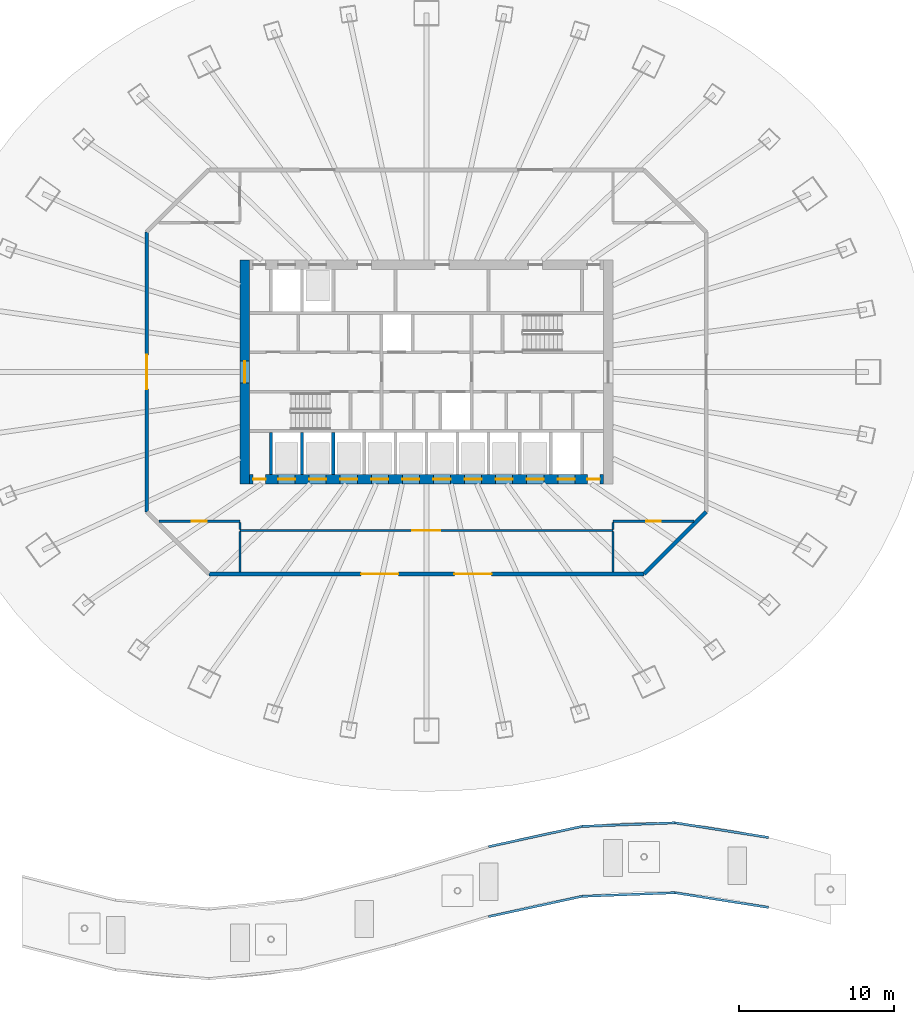
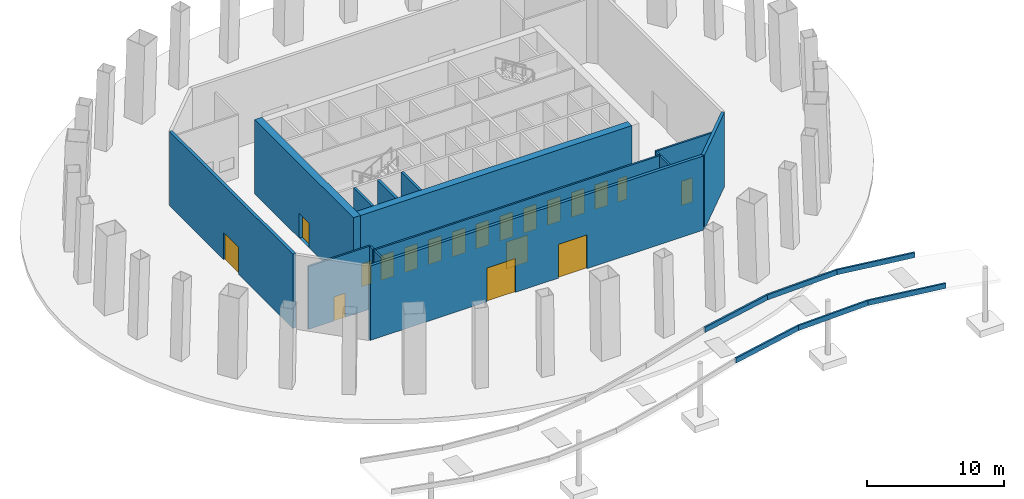
# One storey, part 6 of 10: 21 walls, 19 doors, 19 openings.
"""IFC4 building model written with IfcOpenShell, lengths in metres."""

import ifcopenshell
import ifcopenshell.guid

model = None  # the IFC model being written
_history = None  # IfcOwnerHistory: only IFC2X3 demands one
_inside = {}  # id of a spatial element -> (the spatial element, [elements in it])
_under = {}  # id of a project, library or spatial element -> (it, [spatial elements below it])
_declared = {}  # id of a project -> (the project, [libraries it declares])
_typed = {}  # id of a type object -> (the type object, [elements of that type])
_made_of = {}  # id of a material, layer set ... -> (it, [elements and type objects made of it])


def new_model(schema):
    """Start an empty IFC model of exactly this schema.

    Asked for "IFC4X3", IfcOpenShell would pick the latest addendum, in which some entities
    have other attributes; the version numbers below select the first issue.
    IFC2X3 requires an IfcOwnerHistory on every rooted entity: one is made here for all.
    """
    global model, _history
    if schema == "IFC4X3":
        model = ifcopenshell.file(schema_version=(4, 3, 0, 0))
    else:
        model = ifcopenshell.file(schema=schema)
    _inside.clear()
    _under.clear()
    _declared.clear()
    _typed.clear()
    _made_of.clear()
    _history = None
    if model.schema == "IFC2X3":
        org = make("IfcOrganization", Name="unknown")
        user = make(
            "IfcPersonAndOrganization",
            ThePerson=make("IfcPerson", FamilyName="unknown"),
            TheOrganization=org,
        )
        app = make(
            "IfcApplication",
            ApplicationDeveloper=org,
            Version="unknown",
            ApplicationFullName="unknown",
            ApplicationIdentifier="unknown",
        )
        _history = make(
            "IfcOwnerHistory",
            OwningUser=user,
            OwningApplication=app,
            ChangeAction="ADDED",
            CreationDate=0,
        )
    return model


def make(cls, **values):
    """One entity of the class cls with the attributes given. An attribute that is None is left unset."""
    return model.create_entity(
        cls, **{name: value for name, value in values.items() if value is not None}
    )


def rooted(cls, **values):
    """An entity with a GlobalId (a new one), such as an element, a storey or a relation."""
    return make(cls, GlobalId=ifcopenshell.guid.new(), OwnerHistory=_history, **values)


def si_unit(unit_type, name, prefix=None):
    """IfcSIUnit, for example si_unit("LENGTHUNIT", "METRE", prefix="MILLI")."""
    return make("IfcSIUnit", UnitType=unit_type, Prefix=prefix, Name=name)


def assignment(units):
    """IfcUnitAssignment: the units of a project."""
    return None if units is None else make("IfcUnitAssignment", Units=units)


def point(xyz):
    """IfcCartesianPoint."""
    return None if xyz is None else make("IfcCartesianPoint", Coordinates=xyz)


def direction(xyz):
    """IfcDirection."""
    return None if xyz is None else make("IfcDirection", DirectionRatios=xyz)


def frame(location, z_axis=None, x_axis=None):
    """IfcAxis2Placement3D, a coordinate frame: its origin and axes. An axis left out is left unset."""
    return make(
        "IfcAxis2Placement3D",
        Location=point(location),
        Axis=direction(z_axis),
        RefDirection=direction(x_axis),
    )


def frame_2d(location, x_axis=None):
    """IfcAxis2Placement2D, a coordinate frame in the plane: its origin and x axis."""
    return make(
        "IfcAxis2Placement2D", Location=point(location), RefDirection=direction(x_axis)
    )


def origin():
    """The frame at (0, 0, 0) with its axes left unset."""
    return frame((0.0, 0.0, 0.0))


def place(relative_to, where):
    """IfcLocalPlacement: puts the frame where relative to a parent placement (None: the world)."""
    return make(
        "IfcLocalPlacement", PlacementRelTo=relative_to, RelativePlacement=where
    )


def context(
    kind, dimensions, precision=None, world=None, true_north=None, identifier=None
):
    """IfcGeometricRepresentationContext, for example the 3D "Model" context."""
    return make(
        "IfcGeometricRepresentationContext",
        ContextIdentifier=identifier,
        ContextType=kind,
        CoordinateSpaceDimension=dimensions,
        Precision=precision,
        WorldCoordinateSystem=world,
        TrueNorth=true_north,
    )


def subcontext(parent, identifier, kind, view, scale=None):
    """IfcGeometricRepresentationSubContext, for example "Body" below "Model"."""
    return make(
        "IfcGeometricRepresentationSubContext",
        ContextIdentifier=identifier,
        ContextType=kind,
        ParentContext=parent,
        TargetScale=scale,
        TargetView=view,
    )


def project(units=None, contexts=None):
    """IfcProject with its units and contexts."""
    return rooted(
        "IfcProject",
        Name="project",
        RepresentationContexts=contexts,
        UnitsInContext=assignment(units),
    )


def spatial(cls, under=None, at=None, **own):
    """A site, building, storey or space (cls), placed at a placement, below another one or the project."""
    s = rooted(cls, ObjectPlacement=at, **own)
    if under is not None:
        _under.setdefault(under.id(), (under, []))[1].append(s)
    return s


def profile(cls, at=None, kind="AREA", **sizes):
    """A parametric profile (cls). Its sizes go by their IFC names, for example OverallWidth=200.0."""
    return make(cls, ProfileType=kind, Position=at, **sizes)


def rectangle(**sizes):
    """IfcRectangleProfileDef."""
    return profile("IfcRectangleProfileDef", **sizes)


def extrude(swept, where, along, depth):
    """IfcExtrudedAreaSolid: the profile swept, set in the frame where, extruded along a direction by depth."""
    return make(
        "IfcExtrudedAreaSolid",
        SweptArea=swept,
        Position=where,
        ExtrudedDirection=direction(along),
        Depth=depth,
    )


def shape(context_of_items, identifier, shape_type, items):
    """IfcShapeRepresentation: the items that make up one representation, for example the "Body"."""
    return make(
        "IfcShapeRepresentation",
        ContextOfItems=context_of_items,
        RepresentationIdentifier=identifier,
        RepresentationType=shape_type,
        Items=items,
    )


def material(Name=None, Category=None):
    """IfcMaterial."""
    return make("IfcMaterial", Name=Name, Category=Category)


def layer(
    of_material, thickness, ventilated=None, Name=None, Category=None, Priority=None
):
    """IfcMaterialLayer: one layer of a wall or slab, of a material (None: an air gap)."""
    return make(
        "IfcMaterialLayer",
        Material=of_material,
        LayerThickness=thickness,
        IsVentilated=ventilated,
        Name=Name,
        Category=Category,
        Priority=Priority,
    )


def layer_set(layers, Name=None):
    """IfcMaterialLayerSet."""
    return make("IfcMaterialLayerSet", MaterialLayers=layers, LayerSetName=Name)


def made_of(thing, what):
    """Note that an element or type object is made of a material, layer set ...; save() writes the relation."""
    if what is not None:
        _made_of.setdefault(what.id(), (what, []))[1].append(thing)
    return thing


def type_object(cls, material=None, **own):
    """A type object (cls), such as IfcWallType, which elements share."""
    return made_of(rooted(cls, **own), material)


def element(
    cls,
    number,
    at=None,
    inside=None,
    cuts=None,
    type_object=None,
    material=None,
    context=None,
    identifier="Body",
    shape_type=None,
    held_by="IfcProductDefinitionShape",
    body=None,
    shapes=None,
    **own,
):
    """One element of the class cls, such as IfcWall. Its Tag is "e" and its number.

    at: its placement. inside: the storey or other place that contains it. cuts: it is an
    opening in that element (IfcRelVoidsElement). A single representation is given by context,
    identifier, shape_type and body (its items); several are given by shapes. held_by: the class
    of the entity that holds the representations. save() writes the other relations.
    """
    e = rooted(cls, Tag="e%d" % number, ObjectPlacement=at, **own)
    if body is not None:
        shapes = [shape(context, identifier, shape_type, body)]
    if shapes is not None:
        e.Representation = make(held_by, Representations=shapes)
    if inside is not None:
        _inside.setdefault(inside.id(), (inside, []))[1].append(e)
    if cuts is not None:
        rooted(
            "IfcRelVoidsElement", RelatingBuildingElement=cuts, RelatedOpeningElement=e
        )
    if type_object is not None:
        _typed.setdefault(type_object.id(), (type_object, []))[1].append(e)
    return made_of(e, material)


def fill(opening, filler):
    """IfcRelFillsElement: the door or window that sits in an opening."""
    return rooted(
        "IfcRelFillsElement",
        RelatingOpeningElement=opening,
        RelatedBuildingElement=filler,
    )


def aggregate(whole, parts):
    """IfcRelAggregates: a whole, such as a stair, and the parts it consists of."""
    return rooted("IfcRelAggregates", RelatingObject=whole, RelatedObjects=parts)


def save(model, path):
    """Write the relations noted so far, then the file.

    IfcRelAggregates (storeys below a building ...), IfcRelContainedInSpatialStructure (elements
    in a storey), IfcRelDefinesByType, IfcRelAssociatesMaterial and IfcRelDeclares: one each for
    every whole, place, type object, material and project.
    """
    for whole, parts in _under.values():
        aggregate(whole, parts)
    for where, things in _inside.values():
        rooted(
            "IfcRelContainedInSpatialStructure",
            RelatedElements=things,
            RelatingStructure=where,
        )
    for kind, things in _typed.values():
        rooted("IfcRelDefinesByType", RelatedObjects=things, RelatingType=kind)
    for what, things in _made_of.values():
        rooted("IfcRelAssociatesMaterial", RelatedObjects=things, RelatingMaterial=what)
    for by, libraries in _declared.values():
        rooted("IfcRelDeclares", RelatingContext=by, RelatedDefinitions=libraries)
    model.write(path)


model = new_model("IFC4")

# Units and contexts
model_context = context("Model", 3, precision=1e-05, world=origin(), true_north=direction((0.0, 1.0)))
body_context = subcontext(model_context, "Body", "Model", "MODEL_VIEW")
ifc_project = project(units=[si_unit("LENGTHUNIT", "METRE"), si_unit("AREAUNIT", "SQUARE_METRE"), si_unit("VOLUMEUNIT", "CUBIC_METRE"), si_unit("PLANEANGLEUNIT", "RADIAN"), si_unit("MASSUNIT", "GRAM", prefix="KILO")], contexts=[model_context])

# Site, building, storey
site_placement = place(None, origin())
site = spatial("IfcSite", under=ifc_project, at=site_placement, CompositionType="ELEMENT")
building_placement = place(site_placement, origin())
building = spatial("IfcBuilding", under=site, at=building_placement, Name="Siaravel Broadcast Tower", CompositionType="ELEMENT")
storey_placement = place(building_placement, origin())
storey = spatial("IfcBuildingStorey", under=building, at=storey_placement, Name="L00", CompositionType="ELEMENT", Elevation=0.0)

# Walls
ifc_material_1 = material(Name="Concrete C40/50", Category="concrete")
ifc_layer_1 = layer(ifc_material_1, 0.14990234375)
ifc_layer_set_1 = layer_set([ifc_layer_1], Name="Concrete C40/50")
wall_type_1 = type_object("IfcWallType", Name="Canopy parapet", PredefinedType="PARAPET", material=ifc_layer_set_1)
wall_1_placement = place(storey_placement, frame((4.0, -30.546142578125, 5.0), z_axis=(0.0, 0.0, 1.0), x_axis=(0.977140106, 0.21259636, 0.0)))
element("IfcWall", 1, at=wall_1_placement, inside=storey, type_object=wall_type_1, Name="Canopy parapet N06", PredefinedType="PARAPET", context=body_context, shape_type="SweptSolid", body=[
    extrude(rectangle(XDim=6.140380859375, YDim=0.14990234375, at=frame_2d((3.0703125, 0.0))), origin(), (0.0, 0.0, 1.0), 0.449951171875),
])
wall_2_placement = place(storey_placement, frame((10.0, -29.24072265625, 5.0), z_axis=(0.0, 0.0, 1.0), x_axis=(0.999259973, 0.038464353, 0.0)))
element("IfcWall", 2, at=wall_2_placement, inside=storey, type_object=wall_type_1, Name="Canopy parapet N07", PredefinedType="PARAPET", context=body_context, shape_type="SweptSolid", body=[
    extrude(rectangle(XDim=6.00439453125, YDim=0.14990234375, at=frame_2d((3.002197265625, 0.0))), origin(), (0.0, 0.0, 1.0), 0.449951171875),
])
wall_3_placement = place(storey_placement, frame((16.0, -29.009765625, 5.0), z_axis=(0.0, 0.0, 1.0), x_axis=(0.987882937, -0.155200847, 0.0)))
element("IfcWall", 3, at=wall_3_placement, inside=storey, type_object=wall_type_1, Name="Canopy parapet N08", PredefinedType="PARAPET", context=body_context, shape_type="SweptSolid", body=[
    extrude(rectangle(XDim=6.073486328125, YDim=0.14990234375, at=frame_2d((3.03662109375, 0.0))), origin(), (0.0, 0.0, 1.0), 0.449951171875),
])
wall_4_placement = place(storey_placement, frame((4.0, -35.046142578125, 5.0), z_axis=(0.0, 0.0, 1.0), x_axis=(0.977140106, 0.21259636, 0.0)))
element("IfcWall", 4, at=wall_4_placement, inside=storey, type_object=wall_type_1, Name="Canopy parapet S06", PredefinedType="PARAPET", context=body_context, shape_type="SweptSolid", body=[
    extrude(rectangle(XDim=6.140380859375, YDim=0.14990234375, at=frame_2d((3.0703125, 0.0))), origin(), (0.0, 0.0, 1.0), 0.449951171875),
])
wall_5_placement = place(storey_placement, frame((10.0, -33.74072265625, 5.0), z_axis=(0.0, 0.0, 1.0), x_axis=(0.999259973, 0.038464353, 0.0)))
element("IfcWall", 5, at=wall_5_placement, inside=storey, type_object=wall_type_1, Name="Canopy parapet S07", PredefinedType="PARAPET", context=body_context, shape_type="SweptSolid", body=[
    extrude(rectangle(XDim=6.00439453125, YDim=0.14990234375, at=frame_2d((3.002197265625, 0.0))), origin(), (0.0, 0.0, 1.0), 0.449951171875),
])
wall_6_placement = place(storey_placement, frame((16.0, -33.509765625, 5.0), z_axis=(0.0, 0.0, 1.0), x_axis=(0.987882937, -0.155200847, 0.0)))
element("IfcWall", 6, at=wall_6_placement, inside=storey, type_object=wall_type_1, Name="Canopy parapet S08", PredefinedType="PARAPET", context=body_context, shape_type="SweptSolid", body=[
    extrude(rectangle(XDim=6.073486328125, YDim=0.14990234375, at=frame_2d((3.03662109375, 0.0))), origin(), (0.0, 0.0, 1.0), 0.449951171875),
])

# Wall, opening, door
ifc_material_2 = material(Name="Concrete C60/75", Category="concrete")
ifc_layer_2 = layer(ifc_material_2, 0.60009765625)
ifc_layer_set_2 = layer_set([ifc_layer_2], Name="Concrete C60/75")
wall_type_2 = type_object("IfcWallType", Name="Core wall 600", PredefinedType="SHEAR", material=ifc_layer_set_2)
wall_7_placement = place(storey_placement, frame((-11.699951171875, -7.199951171875, 0.0), z_axis=(0.0, 0.0, 1.0), x_axis=(0.0, 1.0, 0.0)))
wall_7 = element("IfcWall", 7, at=wall_7_placement, inside=storey, type_object=wall_type_2, Name="L00 core wall OW", PredefinedType="SHEAR", context=body_context, shape_type="SweptSolid", body=[
    extrude(rectangle(XDim=14.39990234375, YDim=0.60009765625, at=frame_2d((7.199951171875, 0.0))), origin(), (0.0, 0.0, 1.0), 6.60009765625),
])
opening_1_placement = place(wall_7_placement, frame((6.5, 0.0, 0.0)))
opening_1 = element("IfcOpeningElement", 8, at=opening_1_placement, cuts=wall_7, Name="Opening L00-DX-W", PredefinedType="OPENING", context=body_context, shape_type="SweptSolid", body=[
    extrude(rectangle(XDim=1.39990234375, YDim=2.199951171875, at=frame_2d((0.699951171875, 1.10009765625))), frame((0.0, 0.31005859375, 0.0), z_axis=(0.0, -1.0, 0.0), x_axis=(1.0, 0.0, 0.0)), (0.0, 0.0, 1.0), 0.6201171875),
])
ifc_material_3 = material(Name="Steel", Category="steel")
door_type_1 = type_object("IfcDoorType", Name="Core exit door 1400", OperationType="DOUBLE_DOOR_SINGLE_SWING", PredefinedType="DOOR", material=ifc_material_3)
door_1_placement = place(opening_1_placement, origin())
door_1 = element("IfcDoor", 9, at=door_1_placement, inside=storey, type_object=door_type_1, Name="L00 door DX-W", OperationType="DOUBLE_DOOR_SINGLE_SWING", OverallHeight=2.199951171875, OverallWidth=1.39990234375, PredefinedType="DOOR", context=body_context, shape_type="SweptSolid", body=[
    extrude(rectangle(XDim=1.39990234375, YDim=2.199951171875, at=frame_2d((0.699951171875, 1.10009765625))), frame((0.0, 0.02490234375, 0.0), z_axis=(0.0, -1.0, 0.0), x_axis=(1.0, 0.0, 0.0)), (0.0, 0.0, 1.0), 0.050048828125),
])
fill(opening_1, door_1)

# Wall, openings, doors
wall_8_placement = place(storey_placement, frame((-11.39990234375, -6.89990234375, 0.0), z_axis=(0.0, 0.0, 1.0), x_axis=(1.0, 0.0, 0.0)))
wall_8 = element("IfcWall", 10, at=wall_8_placement, inside=storey, type_object=wall_type_2, Name="L00 core wall OS", PredefinedType="SHEAR", context=body_context, shape_type="SweptSolid", body=[
    extrude(rectangle(XDim=22.7998046875, YDim=0.60009765625, at=frame_2d((11.39990234375, 0.0))), origin(), (0.0, 0.0, 1.0), 6.60009765625),
])
opening_2_placement = place(wall_8_placement, frame((1.85009765625, 0.0, 0.0)))
opening_2 = element("IfcOpeningElement", 11, at=opening_2_placement, cuts=wall_8, Name="Opening LD-LP1-L00", PredefinedType="OPENING", context=body_context, shape_type="SweptSolid", body=[
    extrude(rectangle(XDim=1.10009765625, YDim=2.199951171875, at=frame_2d((0.550048828125, 1.10009765625))), frame((0.0, 0.31005859375, 0.0), z_axis=(0.0, -1.0, 0.0), x_axis=(1.0, 0.0, 0.0)), (0.0, 0.0, 1.0), 0.6201171875),
])
opening_3_placement = place(wall_8_placement, frame((3.85009765625, 0.0, 0.0)))
opening_3 = element("IfcOpeningElement", 12, at=opening_3_placement, cuts=wall_8, Name="Opening LD-LP2-L00", PredefinedType="OPENING", context=body_context, shape_type="SweptSolid", body=[
    extrude(rectangle(XDim=1.10009765625, YDim=2.199951171875, at=frame_2d((0.550048828125, 1.10009765625))), frame((0.0, 0.31005859375, 0.0), z_axis=(0.0, -1.0, 0.0), x_axis=(1.0, 0.0, 0.0)), (0.0, 0.0, 1.0), 0.6201171875),
])
opening_4_placement = place(wall_8_placement, frame((5.85009765625, 0.0, 0.0)))
opening_4 = element("IfcOpeningElement", 13, at=opening_4_placement, cuts=wall_8, Name="Opening LD-LP3-L00", PredefinedType="OPENING", context=body_context, shape_type="SweptSolid", body=[
    extrude(rectangle(XDim=1.10009765625, YDim=2.199951171875, at=frame_2d((0.550048828125, 1.10009765625))), frame((0.0, 0.31005859375, 0.0), z_axis=(0.0, -1.0, 0.0), x_axis=(1.0, 0.0, 0.0)), (0.0, 0.0, 1.0), 0.6201171875),
])
opening_5_placement = place(wall_8_placement, frame((7.85009765625, 0.0, 0.0)))
opening_5 = element("IfcOpeningElement", 14, at=opening_5_placement, cuts=wall_8, Name="Opening LD-LP4-L00", PredefinedType="OPENING", context=body_context, shape_type="SweptSolid", body=[
    extrude(rectangle(XDim=1.10009765625, YDim=2.199951171875, at=frame_2d((0.550048828125, 1.10009765625))), frame((0.0, 0.31005859375, 0.0), z_axis=(0.0, -1.0, 0.0), x_axis=(1.0, 0.0, 0.0)), (0.0, 0.0, 1.0), 0.6201171875),
])
opening_6_placement = place(wall_8_placement, frame((9.85009765625, 0.0, 0.0)))
opening_6 = element("IfcOpeningElement", 15, at=opening_6_placement, cuts=wall_8, Name="Opening LD-LP5-L00", PredefinedType="OPENING", context=body_context, shape_type="SweptSolid", body=[
    extrude(rectangle(XDim=1.10009765625, YDim=2.199951171875, at=frame_2d((0.550048828125, 1.10009765625))), frame((0.0, 0.31005859375, 0.0), z_axis=(0.0, -1.0, 0.0), x_axis=(1.0, 0.0, 0.0)), (0.0, 0.0, 1.0), 0.6201171875),
])
opening_7_placement = place(wall_8_placement, frame((11.85009765625, 0.0, 0.0)))
opening_7 = element("IfcOpeningElement", 16, at=opening_7_placement, cuts=wall_8, Name="Opening LD-LP6-L00", PredefinedType="OPENING", context=body_context, shape_type="SweptSolid", body=[
    extrude(rectangle(XDim=1.10009765625, YDim=2.199951171875, at=frame_2d((0.550048828125, 1.10009765625))), frame((0.0, 0.31005859375, 0.0), z_axis=(0.0, -1.0, 0.0), x_axis=(1.0, 0.0, 0.0)), (0.0, 0.0, 1.0), 0.6201171875),
])
opening_8_placement = place(wall_8_placement, frame((13.85009765625, 0.0, 0.0)))
opening_8 = element("IfcOpeningElement", 17, at=opening_8_placement, cuts=wall_8, Name="Opening LD-LP7-L00", PredefinedType="OPENING", context=body_context, shape_type="SweptSolid", body=[
    extrude(rectangle(XDim=1.10009765625, YDim=2.199951171875, at=frame_2d((0.550048828125, 1.10009765625))), frame((0.0, 0.31005859375, 0.0), z_axis=(0.0, -1.0, 0.0), x_axis=(1.0, 0.0, 0.0)), (0.0, 0.0, 1.0), 0.6201171875),
])
opening_9_placement = place(wall_8_placement, frame((15.85009765625, 0.0, 0.0)))
opening_9 = element("IfcOpeningElement", 18, at=opening_9_placement, cuts=wall_8, Name="Opening LD-LP8-L00", PredefinedType="OPENING", context=body_context, shape_type="SweptSolid", body=[
    extrude(rectangle(XDim=1.10009765625, YDim=2.199951171875, at=frame_2d((0.550048828125, 1.10009765625))), frame((0.0, 0.31005859375, 0.0), z_axis=(0.0, -1.0, 0.0), x_axis=(1.0, 0.0, 0.0)), (0.0, 0.0, 1.0), 0.6201171875),
])
opening_10_placement = place(wall_8_placement, frame((17.85009765625, 0.0, 0.0)))
opening_10 = element("IfcOpeningElement", 19, at=opening_10_placement, cuts=wall_8, Name="Opening LD-SH1-L00", PredefinedType="OPENING", context=body_context, shape_type="SweptSolid", body=[
    extrude(rectangle(XDim=1.10009765625, YDim=2.199951171875, at=frame_2d((0.550048828125, 1.10009765625))), frame((0.0, 0.31005859375, 0.0), z_axis=(0.0, -1.0, 0.0), x_axis=(1.0, 0.0, 0.0)), (0.0, 0.0, 1.0), 0.6201171875),
])
opening_11_placement = place(wall_8_placement, frame((19.85009765625, 0.0, 0.0)))
opening_11 = element("IfcOpeningElement", 20, at=opening_11_placement, cuts=wall_8, Name="Opening LD-SV1-L00", PredefinedType="OPENING", context=body_context, shape_type="SweptSolid", body=[
    extrude(rectangle(XDim=1.10009765625, YDim=2.199951171875, at=frame_2d((0.550048828125, 1.10009765625))), frame((0.0, 0.31005859375, 0.0), z_axis=(0.0, -1.0, 0.0), x_axis=(1.0, 0.0, 0.0)), (0.0, 0.0, 1.0), 0.6201171875),
])
opening_12_placement = place(wall_8_placement, frame((0.25, 0.0, 0.0)))
opening_12 = element("IfcOpeningElement", 21, at=opening_12_placement, cuts=wall_8, Name="Opening L00-DRSW", PredefinedType="OPENING", context=body_context, shape_type="SweptSolid", body=[
    extrude(rectangle(XDim=0.800048828125, YDim=2.050048828125, at=frame_2d((0.39990234375, 1.02490234375))), frame((0.0, 0.31005859375, 0.0), z_axis=(0.0, -1.0, 0.0), x_axis=(1.0, 0.0, 0.0)), (0.0, 0.0, 1.0), 0.6201171875),
])
opening_13_placement = place(wall_8_placement, frame((21.75, 0.0, 0.0)))
opening_13 = element("IfcOpeningElement", 22, at=opening_13_placement, cuts=wall_8, Name="Opening L00-DRSE", PredefinedType="OPENING", context=body_context, shape_type="SweptSolid", body=[
    extrude(rectangle(XDim=0.800048828125, YDim=2.050048828125, at=frame_2d((0.39990234375, 1.02490234375))), frame((0.0, 0.31005859375, 0.0), z_axis=(0.0, -1.0, 0.0), x_axis=(1.0, 0.0, 0.0)), (0.0, 0.0, 1.0), 0.6201171875),
])
ifc_material_4 = material(Name="Stainless steel 316L", Category="steel")
door_type_2 = type_object("IfcDoorType", Name="Lift landing door 1100", OperationType="DOUBLE_DOOR_SLIDING", PredefinedType="DOOR", material=ifc_material_4)
door_2_placement = place(opening_2_placement, origin())
door_2 = element("IfcDoor", 23, at=door_2_placement, inside=storey, type_object=door_type_2, Name="Landing door LP1 L00", OperationType="DOUBLE_DOOR_SLIDING", OverallHeight=2.199951171875, OverallWidth=1.10009765625, PredefinedType="DOOR", context=body_context, shape_type="SweptSolid", body=[
    extrude(rectangle(XDim=1.10009765625, YDim=2.199951171875, at=frame_2d((0.550048828125, 1.10009765625))), frame((0.0, 0.02490234375, 0.0), z_axis=(0.0, -1.0, 0.0), x_axis=(1.0, 0.0, 0.0)), (0.0, 0.0, 1.0), 0.050048828125),
])
fill(opening_2, door_2)
door_3_placement = place(opening_3_placement, origin())
door_3 = element("IfcDoor", 24, at=door_3_placement, inside=storey, type_object=door_type_2, Name="Landing door LP2 L00", OperationType="DOUBLE_DOOR_SLIDING", OverallHeight=2.199951171875, OverallWidth=1.10009765625, PredefinedType="DOOR", context=body_context, shape_type="SweptSolid", body=[
    extrude(rectangle(XDim=1.10009765625, YDim=2.199951171875, at=frame_2d((0.550048828125, 1.10009765625))), frame((0.0, 0.02490234375, 0.0), z_axis=(0.0, -1.0, 0.0), x_axis=(1.0, 0.0, 0.0)), (0.0, 0.0, 1.0), 0.050048828125),
])
fill(opening_3, door_3)
door_4_placement = place(opening_4_placement, origin())
door_4 = element("IfcDoor", 25, at=door_4_placement, inside=storey, type_object=door_type_2, Name="Landing door LP3 L00", OperationType="DOUBLE_DOOR_SLIDING", OverallHeight=2.199951171875, OverallWidth=1.10009765625, PredefinedType="DOOR", context=body_context, shape_type="SweptSolid", body=[
    extrude(rectangle(XDim=1.10009765625, YDim=2.199951171875, at=frame_2d((0.550048828125, 1.10009765625))), frame((0.0, 0.02490234375, 0.0), z_axis=(0.0, -1.0, 0.0), x_axis=(1.0, 0.0, 0.0)), (0.0, 0.0, 1.0), 0.050048828125),
])
fill(opening_4, door_4)
door_5_placement = place(opening_5_placement, origin())
door_5 = element("IfcDoor", 26, at=door_5_placement, inside=storey, type_object=door_type_2, Name="Landing door LP4 L00", OperationType="DOUBLE_DOOR_SLIDING", OverallHeight=2.199951171875, OverallWidth=1.10009765625, PredefinedType="DOOR", context=body_context, shape_type="SweptSolid", body=[
    extrude(rectangle(XDim=1.10009765625, YDim=2.199951171875, at=frame_2d((0.550048828125, 1.10009765625))), frame((0.0, 0.02490234375, 0.0), z_axis=(0.0, -1.0, 0.0), x_axis=(1.0, 0.0, 0.0)), (0.0, 0.0, 1.0), 0.050048828125),
])
fill(opening_5, door_5)
door_6_placement = place(opening_6_placement, origin())
door_6 = element("IfcDoor", 27, at=door_6_placement, inside=storey, type_object=door_type_2, Name="Landing door LP5 L00", OperationType="DOUBLE_DOOR_SLIDING", OverallHeight=2.199951171875, OverallWidth=1.10009765625, PredefinedType="DOOR", context=body_context, shape_type="SweptSolid", body=[
    extrude(rectangle(XDim=1.10009765625, YDim=2.199951171875, at=frame_2d((0.550048828125, 1.10009765625))), frame((0.0, 0.02490234375, 0.0), z_axis=(0.0, -1.0, 0.0), x_axis=(1.0, 0.0, 0.0)), (0.0, 0.0, 1.0), 0.050048828125),
])
fill(opening_6, door_6)
door_7_placement = place(opening_7_placement, origin())
door_7 = element("IfcDoor", 28, at=door_7_placement, inside=storey, type_object=door_type_2, Name="Landing door LP6 L00", OperationType="DOUBLE_DOOR_SLIDING", OverallHeight=2.199951171875, OverallWidth=1.10009765625, PredefinedType="DOOR", context=body_context, shape_type="SweptSolid", body=[
    extrude(rectangle(XDim=1.10009765625, YDim=2.199951171875, at=frame_2d((0.550048828125, 1.10009765625))), frame((0.0, 0.02490234375, 0.0), z_axis=(0.0, -1.0, 0.0), x_axis=(1.0, 0.0, 0.0)), (0.0, 0.0, 1.0), 0.050048828125),
])
fill(opening_7, door_7)
door_8_placement = place(opening_8_placement, origin())
door_8 = element("IfcDoor", 29, at=door_8_placement, inside=storey, type_object=door_type_2, Name="Landing door LP7 L00", OperationType="DOUBLE_DOOR_SLIDING", OverallHeight=2.199951171875, OverallWidth=1.10009765625, PredefinedType="DOOR", context=body_context, shape_type="SweptSolid", body=[
    extrude(rectangle(XDim=1.10009765625, YDim=2.199951171875, at=frame_2d((0.550048828125, 1.10009765625))), frame((0.0, 0.02490234375, 0.0), z_axis=(0.0, -1.0, 0.0), x_axis=(1.0, 0.0, 0.0)), (0.0, 0.0, 1.0), 0.050048828125),
])
fill(opening_8, door_8)
door_9_placement = place(opening_9_placement, origin())
door_9 = element("IfcDoor", 30, at=door_9_placement, inside=storey, type_object=door_type_2, Name="Landing door LP8 L00", OperationType="DOUBLE_DOOR_SLIDING", OverallHeight=2.199951171875, OverallWidth=1.10009765625, PredefinedType="DOOR", context=body_context, shape_type="SweptSolid", body=[
    extrude(rectangle(XDim=1.10009765625, YDim=2.199951171875, at=frame_2d((0.550048828125, 1.10009765625))), frame((0.0, 0.02490234375, 0.0), z_axis=(0.0, -1.0, 0.0), x_axis=(1.0, 0.0, 0.0)), (0.0, 0.0, 1.0), 0.050048828125),
])
fill(opening_9, door_9)
door_10_placement = place(opening_10_placement, origin())
door_10 = element("IfcDoor", 31, at=door_10_placement, inside=storey, type_object=door_type_2, Name="Landing door SH1 L00", OperationType="DOUBLE_DOOR_SLIDING", OverallHeight=2.199951171875, OverallWidth=1.10009765625, PredefinedType="DOOR", context=body_context, shape_type="SweptSolid", body=[
    extrude(rectangle(XDim=1.10009765625, YDim=2.199951171875, at=frame_2d((0.550048828125, 1.10009765625))), frame((0.0, 0.02490234375, 0.0), z_axis=(0.0, -1.0, 0.0), x_axis=(1.0, 0.0, 0.0)), (0.0, 0.0, 1.0), 0.050048828125),
])
fill(opening_10, door_10)
door_type_3 = type_object("IfcDoorType", Name="Riser door 800", OperationType="SINGLE_SWING_LEFT", PredefinedType="DOOR", material=ifc_material_3)
door_11_placement = place(opening_12_placement, origin())
door_11 = element("IfcDoor", 32, at=door_11_placement, inside=storey, type_object=door_type_3, Name="L00 door DRSW", OperationType="SINGLE_SWING_LEFT", OverallHeight=2.050048828125, OverallWidth=0.800048828125, PredefinedType="DOOR", context=body_context, shape_type="SweptSolid", body=[
    extrude(rectangle(XDim=0.800048828125, YDim=2.050048828125, at=frame_2d((0.39990234375, 1.02490234375))), frame((0.0, 0.02490234375, 0.0), z_axis=(0.0, -1.0, 0.0), x_axis=(1.0, 0.0, 0.0)), (0.0, 0.0, 1.0), 0.050048828125),
])
fill(opening_12, door_11)
door_12_placement = place(opening_13_placement, origin())
door_12 = element("IfcDoor", 33, at=door_12_placement, inside=storey, type_object=door_type_3, Name="L00 door DRSE", OperationType="SINGLE_SWING_LEFT", OverallHeight=2.050048828125, OverallWidth=0.800048828125, PredefinedType="DOOR", context=body_context, shape_type="SweptSolid", body=[
    extrude(rectangle(XDim=0.800048828125, YDim=2.050048828125, at=frame_2d((0.39990234375, 1.02490234375))), frame((0.0, 0.02490234375, 0.0), z_axis=(0.0, -1.0, 0.0), x_axis=(1.0, 0.0, 0.0)), (0.0, 0.0, 1.0), 0.050048828125),
])
fill(opening_13, door_12)
door_type_4 = type_object("IfcDoorType", Name="Service lift landing door 1100", OperationType="DOUBLE_DOOR_SLIDING", PredefinedType="DOOR", material=ifc_material_4)
door_13_placement = place(opening_11_placement, origin())
door_13 = element("IfcDoor", 34, at=door_13_placement, inside=storey, type_object=door_type_4, Name="Landing door SV1 L00", OperationType="DOUBLE_DOOR_SLIDING", OverallHeight=2.199951171875, OverallWidth=1.10009765625, PredefinedType="DOOR", context=body_context, shape_type="SweptSolid", body=[
    extrude(rectangle(XDim=1.10009765625, YDim=2.199951171875, at=frame_2d((0.550048828125, 1.10009765625))), frame((0.0, 0.02490234375, 0.0), z_axis=(0.0, -1.0, 0.0), x_axis=(1.0, 0.0, 0.0)), (0.0, 0.0, 1.0), 0.050048828125),
])
fill(opening_11, door_13)

# Wall, opening, door
ifc_material_5 = material(Name="Gypsum board partition", Category="gypsum")
ifc_layer_3 = layer(ifc_material_5, 0.14990234375)
ifc_layer_set_3 = layer_set([ifc_layer_3], Name="Gypsum board partition")
wall_type_3 = type_object("IfcWallType", Name="Corridor wall 150", PredefinedType="PARTITIONING", material=ifc_layer_set_3)
wall_9_placement = place(storey_placement, frame((-12.0, -10.199951171875, 0.0), z_axis=(0.0, 0.0, 1.0), x_axis=(1.0, 0.0, 0.0)))
wall_9 = element("IfcWall", 35, at=wall_9_placement, inside=storey, type_object=wall_type_3, Name="L00 partition 1", PredefinedType="PARTITIONING", context=body_context, shape_type="SweptSolid", body=[
    extrude(rectangle(XDim=24.0, YDim=0.14990234375, at=frame_2d((12.0, 0.0))), origin(), (0.0, 0.0, 1.0), 5.60009765625),
])
opening_14_placement = place(wall_9_placement, frame((11.10009765625, 0.0, 0.0)))
opening_14 = element("IfcOpeningElement", 36, at=opening_14_placement, cuts=wall_9, Name="Opening L00-005", PredefinedType="OPENING", context=body_context, shape_type="SweptSolid", body=[
    extrude(rectangle(XDim=1.800048828125, YDim=2.39990234375, at=frame_2d((0.89990234375, 1.199951171875))), frame((0.0, 0.0849609375, 0.0), z_axis=(0.0, -1.0, 0.0), x_axis=(1.0, 0.0, 0.0)), (0.0, 0.0, 1.0), 0.169921875),
])
door_type_5 = type_object("IfcDoorType", Name="Goods double door 1800", OperationType="DOUBLE_DOOR_SINGLE_SWING", PredefinedType="DOOR", material=ifc_material_3)
door_14_placement = place(opening_14_placement, origin())
door_14 = element("IfcDoor", 37, at=door_14_placement, inside=storey, type_object=door_type_5, Name="L00 door to Goods receiving", OperationType="DOUBLE_DOOR_SINGLE_SWING", OverallHeight=2.39990234375, OverallWidth=1.800048828125, PredefinedType="DOOR", context=body_context, shape_type="SweptSolid", body=[
    extrude(rectangle(XDim=1.800048828125, YDim=2.39990234375, at=frame_2d((0.89990234375, 1.199951171875))), frame((0.0, 0.02490234375, 0.0), z_axis=(0.0, -1.0, 0.0), x_axis=(1.0, 0.0, 0.0)), (0.0, 0.0, 1.0), 0.050048828125),
])
fill(opening_14, door_14)

wall_10_placement = place(storey_placement, frame((-17.22314453125, -9.60009765625, 0.0), z_axis=(0.0, 0.0, 1.0), x_axis=(1.0, 0.0, 0.0)))
wall_10 = element("IfcWall", 38, at=wall_10_placement, inside=storey, type_object=wall_type_3, Name="L00 partition 2", PredefinedType="PARTITIONING", context=body_context, shape_type="SweptSolid", body=[
    extrude(rectangle(XDim=5.22314453125, YDim=0.14990234375, at=frame_2d((2.611572265625, 0.0))), origin(), (0.0, 0.0, 1.0), 5.60009765625),
])
opening_15_placement = place(wall_10_placement, frame((2.13671875, 0.0, 0.0)))
opening_15 = element("IfcOpeningElement", 39, at=opening_15_placement, cuts=wall_10, Name="Opening L00-003", PredefinedType="OPENING", context=body_context, shape_type="SweptSolid", body=[
    extrude(rectangle(XDim=0.949951171875, YDim=2.14990234375, at=frame_2d((0.47509765625, 1.074951171875))), frame((0.0, 0.0849609375, 0.0), z_axis=(0.0, -1.0, 0.0), x_axis=(1.0, 0.0, 0.0)), (0.0, 0.0, 1.0), 0.169921875),
])
ifc_material_6 = material(Name="Timber veneer", Category="wood")
door_type_6 = type_object("IfcDoorType", Name="Office door 950", OperationType="SINGLE_SWING_LEFT", PredefinedType="DOOR", material=ifc_material_6)
door_15_placement = place(opening_15_placement, origin())
door_15 = element("IfcDoor", 40, at=door_15_placement, inside=storey, type_object=door_type_6, Name="L00 door to Women's WC", OperationType="SINGLE_SWING_LEFT", OverallHeight=2.14990234375, OverallWidth=0.949951171875, PredefinedType="DOOR", context=body_context, shape_type="SweptSolid", body=[
    extrude(rectangle(XDim=0.949951171875, YDim=2.14990234375, at=frame_2d((0.47509765625, 1.074951171875))), frame((0.0, 0.02490234375, 0.0), z_axis=(0.0, -1.0, 0.0), x_axis=(1.0, 0.0, 0.0)), (0.0, 0.0, 1.0), 0.050048828125),
])
fill(opening_15, door_15)

wall_11_placement = place(storey_placement, frame((12.0, -9.60009765625, 0.0), z_axis=(0.0, 0.0, 1.0), x_axis=(1.0, 0.0, 0.0)))
wall_11 = element("IfcWall", 41, at=wall_11_placement, inside=storey, type_object=wall_type_3, Name="L00 partition 4", PredefinedType="PARTITIONING", context=body_context, shape_type="SweptSolid", body=[
    extrude(rectangle(XDim=5.22314453125, YDim=0.14990234375, at=frame_2d((2.611572265625, 0.0))), origin(), (0.0, 0.0, 1.0), 5.60009765625),
])
opening_16_placement = place(wall_11_placement, frame((2.13671875, 0.0, 0.0)))
opening_16 = element("IfcOpeningElement", 42, at=opening_16_placement, cuts=wall_11, Name="Opening L00-004", PredefinedType="OPENING", context=body_context, shape_type="SweptSolid", body=[
    extrude(rectangle(XDim=0.949951171875, YDim=2.14990234375, at=frame_2d((0.47509765625, 1.074951171875))), frame((0.0, 0.0849609375, 0.0), z_axis=(0.0, -1.0, 0.0), x_axis=(1.0, 0.0, 0.0)), (0.0, 0.0, 1.0), 0.169921875),
])
door_16_placement = place(opening_16_placement, origin())
door_16 = element("IfcDoor", 43, at=door_16_placement, inside=storey, type_object=door_type_6, Name="L00 door to Men's WC", OperationType="SINGLE_SWING_RIGHT", OverallHeight=2.14990234375, OverallWidth=0.949951171875, PredefinedType="DOOR", context=body_context, shape_type="SweptSolid", body=[
    extrude(rectangle(XDim=0.949951171875, YDim=2.14990234375, at=frame_2d((0.47509765625, 1.074951171875))), frame((0.0, 0.02490234375, 0.0), z_axis=(0.0, -1.0, 0.0), x_axis=(1.0, 0.0, 0.0)), (0.0, 0.0, 1.0), 0.050048828125),
])
fill(opening_16, door_16)

# Walls
for number, where, z_axis, x_axis, name in (
    (44, (-12.0, -9.677001953125, 0.0), (0.0, 0.0, 1.0), (0.0, -1.0, 0.0), "L00 partition 10"),
    (45, (12.0, -10.123046875, 0.0), (0.0, 0.0, 1.0), (0.0, 1.0, 0.0), "L00 partition 11"),
):
    element("IfcWall", number, at=place(storey_placement, frame(where, z_axis=z_axis, x_axis=x_axis)), inside=storey, type_object=wall_type_3, Name=name, PredefinedType="PARTITIONING", context=body_context, shape_type="SweptSolid", body=[
        extrude(rectangle(XDim=0.446044921875, YDim=0.14990234375, at=frame_2d((0.22314453125, 0.0))), origin(), (0.0, 0.0, 1.0), 5.60009765625),
    ])

# Wall, opening, door
ifc_layer_4 = layer(ifc_material_1, 0.25)
ifc_layer_set_4 = layer_set([ifc_layer_4], Name="Concrete C40/50")
wall_type_4 = type_object("IfcWallType", Name="Pavilion glazed wall", PredefinedType="STANDARD", material=ifc_layer_set_4)
wall_12_placement = place(storey_placement, frame((-18.0, -9.0, 0.0), z_axis=(0.0, 0.0, 1.0), x_axis=(0.0, 1.0, 0.0)))
wall_12 = element("IfcWall", 46, at=wall_12_placement, inside=storey, type_object=wall_type_4, Name="Lobby pavilion wall 05", PredefinedType="STANDARD", context=body_context, shape_type="SweptSolid", body=[
    extrude(rectangle(XDim=18.0, YDim=0.25, at=frame_2d((9.0, 0.0))), origin(), (0.0, 0.0, 1.0), 6.60009765625),
])
opening_17_placement = place(wall_12_placement, frame((7.89990234375, 0.0, 0.0)))
opening_17 = element("IfcOpeningElement", 47, at=opening_17_placement, cuts=wall_12, Name="Opening L00-ENT-W", PredefinedType="OPENING", context=body_context, shape_type="SweptSolid", body=[
    extrude(rectangle(XDim=2.199951171875, YDim=2.39990234375, at=frame_2d((1.10009765625, 1.199951171875))), frame((0.0, 0.135009765625, 0.0), z_axis=(0.0, -1.0, 0.0), x_axis=(1.0, 0.0, 0.0)), (0.0, 0.0, 1.0), 0.27001953125),
])
ifc_material_7 = material(Name="Aluminium 6063-T6", Category="aluminium")
door_type_7 = type_object("IfcDoorType", Name="Entrance door", OperationType="DOUBLE_DOOR_SINGLE_SWING", PredefinedType="DOOR", material=ifc_material_7)
door_17_placement = place(opening_17_placement, origin())
door_17 = element("IfcDoor", 48, at=door_17_placement, inside=storey, type_object=door_type_7, Name="Pavilion entrance door west", OperationType="DOUBLE_DOOR_SINGLE_SWING", OverallHeight=2.39990234375, OverallWidth=2.199951171875, PredefinedType="DOOR", context=body_context, shape_type="SweptSolid", body=[
    extrude(rectangle(XDim=2.199951171875, YDim=2.39990234375, at=frame_2d((1.10009765625, 1.199951171875))), frame((0.0, 0.02490234375, 0.0), z_axis=(0.0, -1.0, 0.0), x_axis=(1.0, 0.0, 0.0)), (0.0, 0.0, 1.0), 0.050048828125),
])
fill(opening_17, door_17)

# Wall, openings, doors
wall_13_placement = place(storey_placement, frame((14.0, -13.0, 0.0), z_axis=(0.0, 0.0, 1.0), x_axis=(-1.0, 0.0, 0.0)))
wall_13 = element("IfcWall", 49, at=wall_13_placement, inside=storey, type_object=wall_type_4, Name="Lobby pavilion wall 07", PredefinedType="STANDARD", context=body_context, shape_type="SweptSolid", body=[
    extrude(rectangle(XDim=28.0, YDim=0.25, at=frame_2d((14.0, 0.0))), origin(), (0.0, 0.0, 1.0), 6.60009765625),
])
opening_18_placement = place(wall_13_placement, frame((15.800048828125, 0.0, 0.0)))
opening_18 = element("IfcOpeningElement", 50, at=opening_18_placement, cuts=wall_13, Name="Opening L00-LOAD-1", PredefinedType="OPENING", context=body_context, shape_type="SweptSolid", body=[
    extrude(rectangle(XDim=2.39990234375, YDim=3.0, at=frame_2d((1.199951171875, 1.5))), frame((0.0, 0.135009765625, 0.0), z_axis=(0.0, -1.0, 0.0), x_axis=(1.0, 0.0, 0.0)), (0.0, 0.0, 1.0), 0.27001953125),
])
opening_19_placement = place(wall_13_placement, frame((9.800048828125, 0.0, 0.0)))
opening_19 = element("IfcOpeningElement", 51, at=opening_19_placement, cuts=wall_13, Name="Opening L00-LOAD-2", PredefinedType="OPENING", context=body_context, shape_type="SweptSolid", body=[
    extrude(rectangle(XDim=2.39990234375, YDim=3.0, at=frame_2d((1.199951171875, 1.5))), frame((0.0, 0.135009765625, 0.0), z_axis=(0.0, -1.0, 0.0), x_axis=(1.0, 0.0, 0.0)), (0.0, 0.0, 1.0), 0.27001953125),
])
ifc_material_8 = material(Name="Steel S355", Category="steel")
door_type_8 = type_object("IfcDoorType", Name="Loading door", OperationType="ROLLINGUP", PredefinedType="GATE", material=ifc_material_8)
door_18_placement = place(opening_18_placement, origin())
door_18 = element("IfcDoor", 52, at=door_18_placement, inside=storey, type_object=door_type_8, Name="Loading bay door 1", OperationType="ROLLINGUP", OverallHeight=3.0, OverallWidth=2.39990234375, PredefinedType="GATE", context=body_context, shape_type="SweptSolid", body=[
    extrude(rectangle(XDim=2.39990234375, YDim=3.0, at=frame_2d((1.199951171875, 1.5))), frame((0.0, 0.02490234375, 0.0), z_axis=(0.0, -1.0, 0.0), x_axis=(1.0, 0.0, 0.0)), (0.0, 0.0, 1.0), 0.050048828125),
])
fill(opening_18, door_18)
door_19_placement = place(opening_19_placement, origin())
door_19 = element("IfcDoor", 53, at=door_19_placement, inside=storey, type_object=door_type_8, Name="Loading bay door 2", OperationType="ROLLINGUP", OverallHeight=3.0, OverallWidth=2.39990234375, PredefinedType="GATE", context=body_context, shape_type="SweptSolid", body=[
    extrude(rectangle(XDim=2.39990234375, YDim=3.0, at=frame_2d((1.199951171875, 1.5))), frame((0.0, 0.02490234375, 0.0), z_axis=(0.0, -1.0, 0.0), x_axis=(1.0, 0.0, 0.0)), (0.0, 0.0, 1.0), 0.050048828125),
])
fill(opening_19, door_19)

# Walls
wall_14_placement = place(storey_placement, frame((18.0, -9.0, 0.0), z_axis=(0.0, 0.0, 1.0), x_axis=(-0.707106781, -0.707106781, 0.0)))
element("IfcWall", 54, at=wall_14_placement, inside=storey, type_object=wall_type_4, Name="Lobby pavilion wall 08", PredefinedType="STANDARD", context=body_context, shape_type="SweptSolid", body=[
    extrude(rectangle(XDim=5.65673828125, YDim=0.25, at=frame_2d((2.828369140625, 0.0))), origin(), (0.0, 0.0, 1.0), 6.60009765625),
])
ifc_layer_5 = layer(ifc_material_5, 0.14990234375)
ifc_layer_set_5 = layer_set([ifc_layer_5], Name="Gypsum board partition")
wall_type_5 = type_object("IfcWallType", Name="Room partition 150", PredefinedType="PARTITIONING", material=ifc_layer_set_5)
for number, where, z_axis, x_axis, name in (
    (55, (-12.0, -12.875, 0.0), (0.0, 0.0, 1.0), (0.0, 1.0, 0.0), "L00 partition 8"),
    (56, (12.0, -10.277099609375, 0.0), (0.0, 0.0, 1.0), (0.0, -1.0, 0.0), "L00 partition 9"),
):
    element("IfcWall", number, at=place(storey_placement, frame(where, z_axis=z_axis, x_axis=x_axis)), inside=storey, type_object=wall_type_5, Name=name, PredefinedType="PARTITIONING", context=body_context, shape_type="SweptSolid", body=[
        extrude(rectangle(XDim=2.597900390625, YDim=0.14990234375, at=frame_2d((1.298828125, 0.0))), origin(), (0.0, 0.0, 1.0), 5.60009765625),
    ])
ifc_layer_6 = layer(ifc_material_2, 0.199951171875)
ifc_layer_set_6 = layer_set([ifc_layer_6], Name="Concrete C60/75")
wall_type_6 = type_object("IfcWallType", Name="Shaft wall 200", PredefinedType="SHEAR", material=ifc_layer_set_6)
for number, where, z_axis, x_axis, name in (
    (57, (-10.0, -6.60009765625, 0.0), (0.0, 0.0, 1.0), (0.0, 1.0, 0.0), "L00 core wall SWS0"),
    (58, (-8.0, -6.60009765625, 0.0), (0.0, 0.0, 1.0), (0.0, 1.0, 0.0), "L00 core wall SWS1"),
    (59, (-6.0, -6.60009765625, 0.0), (0.0, 0.0, 1.0), (0.0, 1.0, 0.0), "L00 core wall SWS2"),
):
    element("IfcWall", number, at=place(storey_placement, frame(where, z_axis=z_axis, x_axis=x_axis)), inside=storey, type_object=wall_type_6, Name=name, PredefinedType="SHEAR", context=body_context, shape_type="SweptSolid", body=[
        extrude(rectangle(XDim=2.7001953125, YDim=0.199951171875, at=frame_2d((1.35009765625, 0.0))), origin(), (0.0, 0.0, 1.0), 6.60009765625),
    ])

save(model, "model.ifc")
